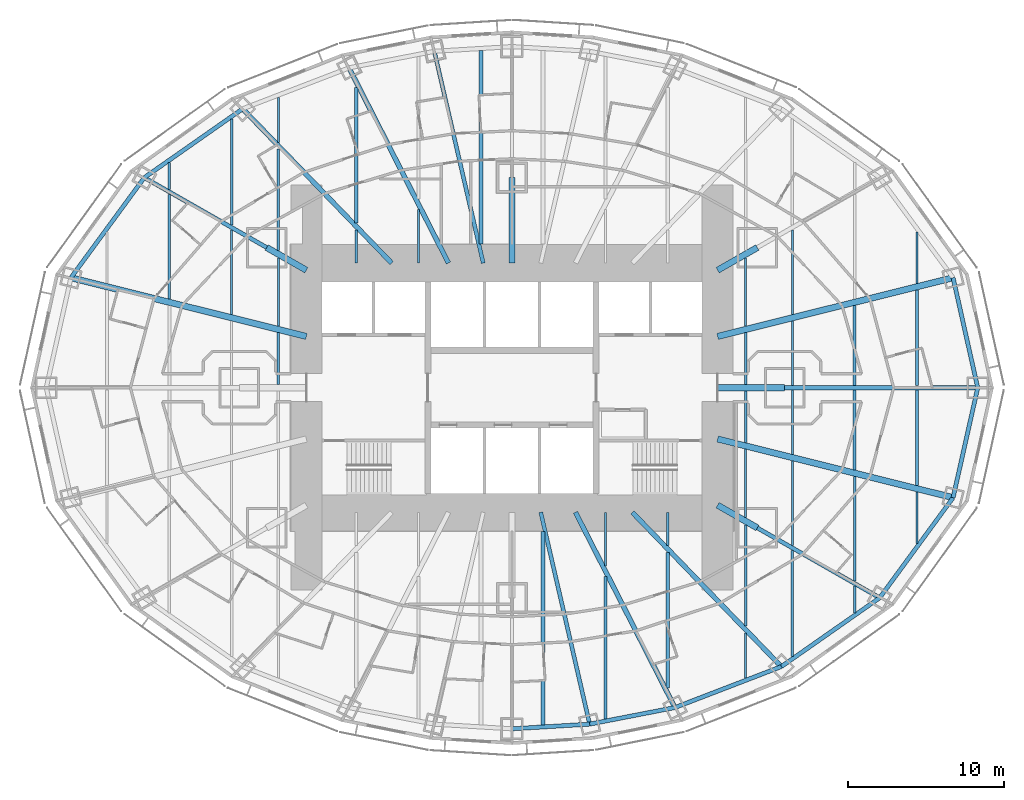
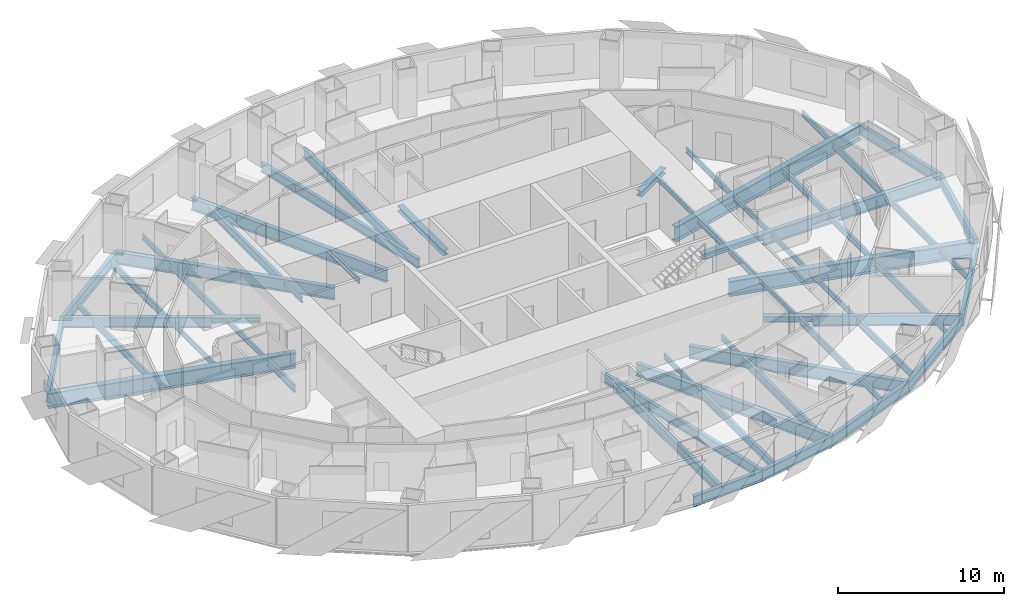
# One storey, part 2 of 15: 62 beams.
"""IFC4 building model written with IfcOpenShell, lengths in metres."""

from ifc_helpers import new_model, si_unit, direction, frame, origin, origin_2d, place, context, subcontext, project, spatial, i_section, extrude, material, material_profile, profile_set, type_object, element, save


model = new_model("IFC4")

# Units and contexts
model_context = context("Model", 3, precision=1e-05, world=origin(), true_north=direction((0.0, 1.0)))
body_context = subcontext(model_context, "Body", "Model", "MODEL_VIEW")
ifc_project = project(units=[si_unit("LENGTHUNIT", "METRE"), si_unit("AREAUNIT", "SQUARE_METRE"), si_unit("VOLUMEUNIT", "CUBIC_METRE"), si_unit("PLANEANGLEUNIT", "RADIAN"), si_unit("MASSUNIT", "GRAM", prefix="KILO")], contexts=[model_context])

# Site, building, storey
site_placement = place(None, origin())
site = spatial("IfcSite", under=ifc_project, at=site_placement, CompositionType="ELEMENT")
building_placement = place(site_placement, origin())
building = spatial("IfcBuilding", under=site, at=building_placement, Name="Lantaw Convention Tower", CompositionType="ELEMENT")
storey_placement = place(building_placement, frame((0.0, 0.0, 58.60009765625)))
storey = spatial("IfcBuildingStorey", under=building, at=storey_placement, Name="L12", CompositionType="ELEMENT", Elevation=58.60009765625)

# Beams
ifc_material = material(Name="Steel ASTM A992", Category="steel")
ifc_material_profile_1 = material_profile(ifc_material, i_section(OverallWidth=0.2666015625, OverallDepth=0.76953125, WebThickness=0.015625, FlangeThickness=0.025390625, FilletRadius=0.0126953125, at=origin_2d()), Name="W30X132")
ifc_profile_set_1 = profile_set([ifc_material_profile_1], Name="Steel ASTM A992")
beam_type_1 = type_object("IfcBeamType", Name="Beam E W30X132", PredefinedType="SPANDREL", material=ifc_profile_set_1)
beam_1_placement = place(storey_placement, frame((29.89990234375, 0.0, -0.534912109375), z_axis=(-0.218652184873, 0.975802860239, 0.0), x_axis=(-0.975802860239, -0.218652184873, 0.0)))
element("IfcBeam", 1, at=beam_1_placement, inside=storey, type_object=beam_type_1, Name="Edge beam 1", PredefinedType="SPANDREL", context=body_context, shape_type="SweptSolid", body=[
    extrude(i_section(OverallWidth=0.2666015625, OverallDepth=0.76953125, WebThickness=0.015625, FlangeThickness=0.025390625, FilletRadius=0.0126953125, at=origin_2d()), origin(), (0.0, 0.0, 1.0), 7.2353515625),
])
beam_2_placement = place(storey_placement, frame((-17.290771484375, 17.9052734375, -0.534912109375), z_axis=(-0.81942686407, -0.57318375277, 0.0), x_axis=(0.57318375277, -0.81942686407, 0.0)))
element("IfcBeam", 2, at=beam_2_placement, inside=storey, type_object=beam_type_1, Name="Edge beam 10", PredefinedType="SPANDREL", context=body_context, shape_type="SweptSolid", body=[
    extrude(i_section(OverallWidth=0.2666015625, OverallDepth=0.76953125, WebThickness=0.015625, FlangeThickness=0.025390625, FilletRadius=0.0126953125, at=origin_2d()), origin(), (0.0, 0.0, 1.0), 7.70556640625),
])
beam_3_placement = place(storey_placement, frame((-23.60498046875, 13.488525390625, -0.534912109375), z_axis=(-0.591270709086, -0.806473154281, 0.0), x_axis=(0.806473154281, -0.591270709086, 0.0)))
element("IfcBeam", 3, at=beam_3_placement, inside=storey, type_object=beam_type_1, Name="Edge beam 11", PredefinedType="SPANDREL", context=body_context, shape_type="SweptSolid", body=[
    extrude(i_section(OverallWidth=0.2666015625, OverallDepth=0.76953125, WebThickness=0.015625, FlangeThickness=0.025390625, FilletRadius=0.0126953125, at=origin_2d()), origin(), (0.0, 0.0, 1.0), 7.970703125),
])
beam_4_placement = place(storey_placement, frame((0.0, -21.89990234375, -0.534912109375), z_axis=(0.998173858406, 0.060406526096, 0.0), x_axis=(-0.060406526096, 0.998173858406, 0.0)))
element("IfcBeam", 4, at=beam_4_placement, inside=storey, type_object=beam_type_1, Name="Edge beam 19", PredefinedType="SPANDREL", context=body_context, shape_type="SweptSolid", body=[
    extrude(i_section(OverallWidth=0.2666015625, OverallDepth=0.76953125, WebThickness=0.015625, FlangeThickness=0.025390625, FilletRadius=0.0126953125, at=origin_2d()), origin(), (0.0, 0.0, 1.0), 4.995361328125),
])
beam_5_placement = place(storey_placement, frame((4.986328125, -21.59814453125, -0.534912109375), z_axis=(0.981636565323, 0.190760723474, 0.0), x_axis=(-0.190760723474, 0.981636565323, 0.0)))
element("IfcBeam", 5, at=beam_5_placement, inside=storey, type_object=beam_type_1, Name="Edge beam 20", PredefinedType="SPANDREL", context=body_context, shape_type="SweptSolid", body=[
    extrude(i_section(OverallWidth=0.2666015625, OverallDepth=0.76953125, WebThickness=0.015625, FlangeThickness=0.025390625, FilletRadius=0.0126953125, at=origin_2d()), origin(), (0.0, 0.0, 1.0), 5.578857421875),
])
beam_6_placement = place(storey_placement, frame((10.462646484375, -20.533935546875, -0.534912109375), z_axis=(0.933232900641, 0.359271976588, 0.0), x_axis=(-0.359271976588, 0.933232900641, 0.0)))
element("IfcBeam", 6, at=beam_6_placement, inside=storey, type_object=beam_type_1, Name="Edge beam 21", PredefinedType="SPANDREL", context=body_context, shape_type="SweptSolid", body=[
    extrude(i_section(OverallWidth=0.2666015625, OverallDepth=0.76953125, WebThickness=0.015625, FlangeThickness=0.025390625, FilletRadius=0.0126953125, at=origin_2d()), origin(), (0.0, 0.0, 1.0), 7.316650390625),
])
beam_7_placement = place(storey_placement, frame((17.290771484375, -17.9052734375, -0.534912109375), z_axis=(0.81942686407, 0.57318375277, 0.0), x_axis=(-0.57318375277, 0.81942686407, 0.0)))
element("IfcBeam", 7, at=beam_7_placement, inside=storey, type_object=beam_type_1, Name="Edge beam 22", PredefinedType="SPANDREL", context=body_context, shape_type="SweptSolid", body=[
    extrude(i_section(OverallWidth=0.2666015625, OverallDepth=0.76953125, WebThickness=0.015625, FlangeThickness=0.025390625, FilletRadius=0.0126953125, at=origin_2d()), origin(), (0.0, 0.0, 1.0), 7.70556640625),
])
beam_8_placement = place(storey_placement, frame((23.60498046875, -13.488525390625, -0.534912109375), z_axis=(0.591270709086, 0.806473154281, 0.0), x_axis=(-0.806473154281, 0.591270709086, 0.0)))
element("IfcBeam", 8, at=beam_8_placement, inside=storey, type_object=beam_type_1, Name="Edge beam 23", PredefinedType="SPANDREL", context=body_context, shape_type="SweptSolid", body=[
    extrude(i_section(OverallWidth=0.2666015625, OverallDepth=0.76953125, WebThickness=0.015625, FlangeThickness=0.025390625, FilletRadius=0.0126953125, at=origin_2d()), origin(), (0.0, 0.0, 1.0), 7.970703125),
])
beam_9_placement = place(storey_placement, frame((28.31787109375, -7.060302734375, -0.534912109375), z_axis=(0.218652184873, 0.975802860239, 0.0), x_axis=(-0.975802860239, 0.218652184873, 0.0)))
element("IfcBeam", 9, at=beam_9_placement, inside=storey, type_object=beam_type_1, Name="Edge beam 24", PredefinedType="SPANDREL", context=body_context, shape_type="SweptSolid", body=[
    extrude(i_section(OverallWidth=0.2666015625, OverallDepth=0.76953125, WebThickness=0.015625, FlangeThickness=0.025390625, FilletRadius=0.0126953125, at=origin_2d()), origin(), (0.0, 0.0, 1.0), 7.2353515625),
])
ifc_material_profile_2 = material_profile(ifc_material, i_section(OverallWidth=0.25390625, OverallDepth=0.683349609375, WebThickness=0.012451171875, FlangeThickness=0.01904296875, FilletRadius=0.01513671875, at=origin_2d()), Name="W27X94")
ifc_profile_set_2 = profile_set([ifc_material_profile_2], Name="Steel ASTM A992")
beam_type_2 = type_object("IfcBeamType", Name="Beam G W27X94", PredefinedType="BEAM", material=ifc_profile_set_2)
for number, where, z_axis, x_axis, name in (
    (10, (-1.846923828125, 8.0, -0.49169921875), (-0.224952773175, 0.97436966796, 0.0), (-0.97436966796, -0.224952773175, 0.0), "Floor girder on ray 8"),
    (11, (1.846923828125, -8.0, -0.49169921875), (0.224952773175, -0.97436966796, 0.0), (0.97436966796, 0.224952773175, 0.0), "Floor girder on ray 20"),
):
    element("IfcBeam", number, at=place(storey_placement, frame(where, z_axis=z_axis, x_axis=x_axis)), inside=storey, type_object=beam_type_2, Name=name, PredefinedType="BEAM", context=body_context, shape_type="SweptSolid", body=[
        extrude(i_section(OverallWidth=0.25390625, OverallDepth=0.683349609375, WebThickness=0.012451171875, FlangeThickness=0.01904296875, FilletRadius=0.01513671875, at=origin_2d()), origin(), (0.0, 0.0, 1.0), 13.955810546875),
    ])
ifc_material_profile_3 = material_profile(ifc_material, i_section(OverallWidth=0.2666015625, OverallDepth=0.7568359375, WebThickness=0.013916015625, FlangeThickness=0.019287109375, FilletRadius=0.0126953125, at=origin_2d()), Name="W30X108")
ifc_profile_set_3 = profile_set([ifc_material_profile_3], Name="Steel ASTM A992")
beam_type_3 = type_object("IfcBeamType", Name="Beam G W30X108", PredefinedType="BEAM", material=ifc_profile_set_3)
for number, where, z_axis, x_axis, name in (
    (12, (-15.75, 9.0, -0.528564453125), (-0.868244802791, 0.496136032179, 0.0), (-0.496136032179, -0.868244802791, 0.0), "Floor girder on ray 11"),
    (13, (15.75, -9.0, -0.528564453125), (0.868244802791, -0.496136032179, 0.0), (0.496136032179, 0.868244802791, 0.0), "Floor girder on ray 23"),
):
    element("IfcBeam", number, at=place(storey_placement, frame(where, z_axis=z_axis, x_axis=x_axis)), inside=storey, type_object=beam_type_3, Name=name, PredefinedType="BEAM", context=body_context, shape_type="SweptSolid", body=[
        extrude(i_section(OverallWidth=0.2666015625, OverallDepth=0.7568359375, WebThickness=0.013916015625, FlangeThickness=0.019287109375, FilletRadius=0.0126953125, at=origin_2d()), origin(), (0.0, 0.0, 1.0), 9.046875),
    ])
ifc_material_profile_4 = material_profile(ifc_material, i_section(OverallWidth=0.307373046875, OverallDepth=0.922119140625, WebThickness=0.018310546875, FlangeThickness=0.030029296875, FilletRadius=0.0126953125, at=origin_2d()), Name="W36X182")
ifc_profile_set_4 = profile_set([ifc_material_profile_4], Name="Steel ASTM A992")
beam_type_4 = type_object("IfcBeamType", Name="Beam G W36X182", PredefinedType="BEAM", material=ifc_profile_set_4)
beam_10_placement = place(storey_placement, frame((17.5, 0.0, -0.611083984375), z_axis=(1.0, 0.0, 0.0), x_axis=(0.0, 1.0, 0.0)))
element("IfcBeam", 14, at=beam_10_placement, inside=storey, type_object=beam_type_4, Name="Floor girder on ray 1", PredefinedType="BEAM", context=body_context, shape_type="SweptSolid", body=[
    extrude(i_section(OverallWidth=0.307373046875, OverallDepth=0.922119140625, WebThickness=0.018310546875, FlangeThickness=0.030029296875, FilletRadius=0.0126953125, at=origin_2d()), origin(), (0.0, 0.0, 1.0), 12.39990234375),
])
beam_11_placement = place(storey_placement, frame((-4.076171875, 8.0, -0.611083984375), z_axis=(-0.453997016122, 0.891003203896, 0.0), x_axis=(-0.891003203896, -0.453997016122, 0.0)))
element("IfcBeam", 15, at=beam_11_placement, inside=storey, type_object=beam_type_4, Name="Floor girder on ray 9", PredefinedType="BEAM", context=body_context, shape_type="SweptSolid", body=[
    extrude(i_section(OverallWidth=0.307373046875, OverallDepth=0.922119140625, WebThickness=0.018310546875, FlangeThickness=0.030029296875, FilletRadius=0.0126953125, at=origin_2d()), origin(), (0.0, 0.0, 1.0), 14.067138671875),
])
beam_12_placement = place(storey_placement, frame((-7.7255859375, 8.0, -0.611083984375), z_axis=(-0.694649884291, 0.719347995239, 0.0), x_axis=(-0.719347995239, -0.694649884291, 0.0)))
element("IfcBeam", 16, at=beam_12_placement, inside=storey, type_object=beam_type_4, Name="Floor girder on ray 10", PredefinedType="BEAM", context=body_context, shape_type="SweptSolid", body=[
    extrude(i_section(OverallWidth=0.307373046875, OverallDepth=0.922119140625, WebThickness=0.018310546875, FlangeThickness=0.030029296875, FilletRadius=0.0126953125, at=origin_2d()), origin(), (0.0, 0.0, 1.0), 13.769775390625),
])
beam_13_placement = place(storey_placement, frame((4.076171875, -8.0, -0.611083984375), z_axis=(0.453997016122, -0.891003203896, 0.0), x_axis=(0.891003203896, 0.453997016122, 0.0)))
element("IfcBeam", 17, at=beam_13_placement, inside=storey, type_object=beam_type_4, Name="Floor girder on ray 21", PredefinedType="BEAM", context=body_context, shape_type="SweptSolid", body=[
    extrude(i_section(OverallWidth=0.307373046875, OverallDepth=0.922119140625, WebThickness=0.018310546875, FlangeThickness=0.030029296875, FilletRadius=0.0126953125, at=origin_2d()), origin(), (0.0, 0.0, 1.0), 14.067138671875),
])
beam_14_placement = place(storey_placement, frame((7.7255859375, -8.0, -0.611083984375), z_axis=(0.694649884291, -0.719347995239, 0.0), x_axis=(0.719347995239, 0.694649884291, 0.0)))
element("IfcBeam", 18, at=beam_14_placement, inside=storey, type_object=beam_type_4, Name="Floor girder on ray 22", PredefinedType="BEAM", context=body_context, shape_type="SweptSolid", body=[
    extrude(i_section(OverallWidth=0.307373046875, OverallDepth=0.922119140625, WebThickness=0.018310546875, FlangeThickness=0.030029296875, FilletRadius=0.0126953125, at=origin_2d()), origin(), (0.0, 0.0, 1.0), 13.769775390625),
])
ifc_material_profile_5 = material_profile(ifc_material, i_section(OverallWidth=0.40380859375, OverallDepth=1.11767578125, WebThickness=0.026123046875, FlangeThickness=0.044921875, FilletRadius=0.02001953125, at=origin_2d()), Name="W44X335")
ifc_profile_set_5 = profile_set([ifc_material_profile_5], Name="Steel ASTM A992")
beam_type_5 = type_object("IfcBeamType", Name="Beam G W44X335", PredefinedType="BEAM", material=ifc_profile_set_5)
for number, where, z_axis, x_axis, name in (
    (19, (13.199951171875, 3.291015625, -0.708984375), (0.970296233567, 0.241919860957, 0.0), (-0.241919860957, 0.970296233567, 0.0), "Floor girder on ray 2"),
    (20, (-13.199951171875, 3.291015625, -0.708984375), (-0.970296233567, 0.241919860957, 0.0), (-0.241919860957, -0.970296233567, 0.0), "Floor girder on ray 12"),
    (21, (13.199951171875, -3.291015625, -0.708984375), (0.970296233567, -0.241919860957, 0.0), (0.241919860957, 0.970296233567, 0.0), "Floor girder on ray 24"),
):
    element("IfcBeam", number, at=place(storey_placement, frame(where, z_axis=z_axis, x_axis=x_axis)), inside=storey, type_object=beam_type_5, Name=name, PredefinedType="BEAM", context=body_context, shape_type="SweptSolid", body=[
        extrude(i_section(OverallWidth=0.40380859375, OverallDepth=1.11767578125, WebThickness=0.026123046875, FlangeThickness=0.044921875, FilletRadius=0.02001953125, at=origin_2d()), origin(), (0.0, 0.0, 1.0), 15.580810546875),
    ])
ifc_material_profile_6 = material_profile(ifc_material, i_section(OverallWidth=0.40380859375, OverallDepth=0.406494140625, WebThickness=0.027099609375, FlangeThickness=0.043701171875, FilletRadius=0.01513671875, at=origin_2d()), Name="W14X233")
ifc_profile_set_6 = profile_set([ifc_material_profile_6], Name="Steel ASTM A992")
beam_type_6 = type_object("IfcBeamType", Name="Beam GM W14X233", PredefinedType="BEAM", material=ifc_profile_set_6)
beam_15_placement = place(storey_placement, frame((13.199951171875, 0.0, -0.353271484375), z_axis=(1.0, 0.0, 0.0), x_axis=(0.0, 1.0, 0.0)))
element("IfcBeam", 22, at=beam_15_placement, inside=storey, type_object=beam_type_6, Name="Core link beam on ray 1", PredefinedType="BEAM", context=body_context, shape_type="SweptSolid", body=[
    extrude(i_section(OverallWidth=0.40380859375, OverallDepth=0.406494140625, WebThickness=0.027099609375, FlangeThickness=0.043701171875, FilletRadius=0.01513671875, at=origin_2d()), origin(), (0.0, 0.0, 1.0), 4.300048828125),
])
beam_16_placement = place(storey_placement, frame((13.199951171875, 7.54296875, -0.353271484375), z_axis=(0.868263603466, 0.496103129295, 0.0), x_axis=(-0.496103129295, 0.868263603466, 0.0)))
element("IfcBeam", 23, at=beam_16_placement, inside=storey, type_object=beam_type_6, Name="Core link beam on ray 3", PredefinedType="BEAM", context=body_context, shape_type="SweptSolid", body=[
    extrude(i_section(OverallWidth=0.40380859375, OverallDepth=0.406494140625, WebThickness=0.027099609375, FlangeThickness=0.043701171875, FilletRadius=0.01513671875, at=origin_2d()), origin(), (0.0, 0.0, 1.0), 2.93701171875),
])
beam_17_placement = place(storey_placement, frame((0.0, 8.0, -0.353271484375), z_axis=(0.0, 1.0, 0.0), x_axis=(-1.0, 0.0, 0.0)))
element("IfcBeam", 24, at=beam_17_placement, inside=storey, type_object=beam_type_6, Name="Core link beam on ray 7", PredefinedType="BEAM", context=body_context, shape_type="SweptSolid", body=[
    extrude(i_section(OverallWidth=0.40380859375, OverallDepth=0.406494140625, WebThickness=0.027099609375, FlangeThickness=0.043701171875, FilletRadius=0.01513671875, at=origin_2d()), origin(), (0.0, 0.0, 1.0), 5.5),
])
for number, where, z_axis, x_axis, name in (
    (25, (-13.199951171875, 7.54296875, -0.353271484375), (-0.868263603466, 0.496103129295, 0.0), (-0.496103129295, -0.868263603466, 0.0), "Core link beam on ray 11"),
    (26, (13.199951171875, -7.54296875, -0.353271484375), (0.868263603466, -0.496103129295, 0.0), (0.496103129295, 0.868263603466, 0.0), "Core link beam on ray 23"),
):
    element("IfcBeam", number, at=place(storey_placement, frame(where, z_axis=z_axis, x_axis=x_axis)), inside=storey, type_object=beam_type_6, Name=name, PredefinedType="BEAM", context=body_context, shape_type="SweptSolid", body=[
        extrude(i_section(OverallWidth=0.40380859375, OverallDepth=0.406494140625, WebThickness=0.027099609375, FlangeThickness=0.043701171875, FilletRadius=0.01513671875, at=origin_2d()), origin(), (0.0, 0.0, 1.0), 2.93701171875),
    ])
ifc_material_profile_7 = material_profile(ifc_material, i_section(OverallWidth=0.140380859375, OverallDepth=0.40380859375, WebThickness=0.007080078125, FlangeThickness=0.01123046875, FilletRadius=0.01025390625, at=origin_2d()), Name="W16X31")
ifc_profile_set_7 = profile_set([ifc_material_profile_7], Name="Steel ASTM A992")
beam_type_7 = type_object("IfcBeamType", Name="Beam J W16X31", PredefinedType="JOIST", material=ifc_profile_set_7)
beam_18_placement = place(storey_placement, frame((-22.0, 12.72509765625, -0.35205078125), z_axis=(0.0, 1.0, 0.0), x_axis=(-1.0, 0.0, 0.0)))
element("IfcBeam", 27, at=beam_18_placement, inside=storey, type_object=beam_type_7, Name="Floor joist", PredefinedType="JOIST", context=body_context, shape_type="SweptSolid", body=[
    extrude(i_section(OverallWidth=0.140380859375, OverallDepth=0.40380859375, WebThickness=0.007080078125, FlangeThickness=0.01123046875, FilletRadius=0.01025390625, at=origin_2d()), origin(), (0.0, 0.0, 1.0), 1.723388671875),
])
beam_19_placement = place(storey_placement, frame((-18.0, 4.696044921875, -0.35205078125), z_axis=(0.0, 1.0, 0.0), x_axis=(-1.0, 0.0, 0.0)))
element("IfcBeam", 28, at=beam_19_placement, inside=storey, type_object=beam_type_7, Name="Floor joist", PredefinedType="JOIST", context=body_context, shape_type="SweptSolid", body=[
    extrude(i_section(OverallWidth=0.140380859375, OverallDepth=0.40380859375, WebThickness=0.007080078125, FlangeThickness=0.01123046875, FilletRadius=0.01025390625, at=origin_2d()), origin(), (0.0, 0.0, 1.0), 5.43603515625),
])
beam_20_placement = place(storey_placement, frame((-15.0, 3.947998046875, -0.35205078125), z_axis=(0.0, 1.0, 0.0), x_axis=(-1.0, 0.0, 0.0)))
element("IfcBeam", 29, at=beam_20_placement, inside=storey, type_object=beam_type_7, Name="Floor joist", PredefinedType="JOIST", context=body_context, shape_type="SweptSolid", body=[
    extrude(i_section(OverallWidth=0.140380859375, OverallDepth=0.40380859375, WebThickness=0.007080078125, FlangeThickness=0.01123046875, FilletRadius=0.01025390625, at=origin_2d()), origin(), (0.0, 0.0, 1.0), 4.390869140625),
])
beam_21_placement = place(storey_placement, frame((-15.0, 15.754150390625, -0.35205078125), z_axis=(0.0, 1.0, 0.0), x_axis=(-1.0, 0.0, 0.0)))
element("IfcBeam", 30, at=beam_21_placement, inside=storey, type_object=beam_type_7, Name="Floor joist", PredefinedType="JOIST", context=body_context, shape_type="SweptSolid", body=[
    extrude(i_section(OverallWidth=0.140380859375, OverallDepth=0.40380859375, WebThickness=0.007080078125, FlangeThickness=0.01123046875, FilletRadius=0.01025390625, at=origin_2d()), origin(), (0.0, 0.0, 1.0), 2.89013671875),
])
beam_22_placement = place(storey_placement, frame((-10.0, 8.0, -0.35205078125), z_axis=(0.0, 1.0, 0.0), x_axis=(-1.0, 0.0, 0.0)))
element("IfcBeam", 31, at=beam_22_placement, inside=storey, type_object=beam_type_7, Name="Floor joist", PredefinedType="JOIST", context=body_context, shape_type="SweptSolid", body=[
    extrude(i_section(OverallWidth=0.140380859375, OverallDepth=0.40380859375, WebThickness=0.007080078125, FlangeThickness=0.01123046875, FilletRadius=0.01025390625, at=origin_2d()), origin(), (0.0, 0.0, 1.0), 2.134033203125),
])
for number, where, z_axis, x_axis, name in (
    (32, (-6.0, 8.0, -0.35205078125), (0.0, 1.0, 0.0), (-1.0, 0.0, 0.0), "Floor joist"),
    (33, (6.0, -11.437255859375, -0.35205078125), (0.0, 1.0, 0.0), (-1.0, 0.0, 0.0), "Floor joist"),
):
    element("IfcBeam", number, at=place(storey_placement, frame(where, z_axis=z_axis, x_axis=x_axis)), inside=storey, type_object=beam_type_7, Name=name, PredefinedType="JOIST", context=body_context, shape_type="SweptSolid", body=[
        extrude(i_section(OverallWidth=0.140380859375, OverallDepth=0.40380859375, WebThickness=0.007080078125, FlangeThickness=0.01123046875, FilletRadius=0.01025390625, at=origin_2d()), origin(), (0.0, 0.0, 1.0), 3.437255859375),
    ])
beam_23_placement = place(storey_placement, frame((10.0, -10.134033203125, -0.35205078125), z_axis=(0.0, 1.0, 0.0), x_axis=(-1.0, 0.0, 0.0)))
element("IfcBeam", 34, at=beam_23_placement, inside=storey, type_object=beam_type_7, Name="Floor joist", PredefinedType="JOIST", context=body_context, shape_type="SweptSolid", body=[
    extrude(i_section(OverallWidth=0.140380859375, OverallDepth=0.40380859375, WebThickness=0.007080078125, FlangeThickness=0.01123046875, FilletRadius=0.01025390625, at=origin_2d()), origin(), (0.0, 0.0, 1.0), 2.134033203125),
])
beam_24_placement = place(storey_placement, frame((15.0, -18.644287109375, -0.35205078125), z_axis=(0.0, 1.0, 0.0), x_axis=(-1.0, 0.0, 0.0)))
element("IfcBeam", 35, at=beam_24_placement, inside=storey, type_object=beam_type_7, Name="Floor joist", PredefinedType="JOIST", context=body_context, shape_type="SweptSolid", body=[
    extrude(i_section(OverallWidth=0.140380859375, OverallDepth=0.40380859375, WebThickness=0.007080078125, FlangeThickness=0.01123046875, FilletRadius=0.01025390625, at=origin_2d()), origin(), (0.0, 0.0, 1.0), 2.89013671875),
])
for number, where, z_axis, x_axis, name in (
    (36, (15.0, -8.3388671875, -0.35205078125), (0.0, 1.0, 0.0), (-1.0, 0.0, 0.0), "Floor joist"),
    (37, (15.0, 3.947998046875, -0.35205078125), (0.0, 1.0, 0.0), (-1.0, 0.0, 0.0), "Floor joist"),
):
    element("IfcBeam", number, at=place(storey_placement, frame(where, z_axis=z_axis, x_axis=x_axis)), inside=storey, type_object=beam_type_7, Name=name, PredefinedType="JOIST", context=body_context, shape_type="SweptSolid", body=[
        extrude(i_section(OverallWidth=0.140380859375, OverallDepth=0.40380859375, WebThickness=0.007080078125, FlangeThickness=0.01123046875, FilletRadius=0.01025390625, at=origin_2d()), origin(), (0.0, 0.0, 1.0), 4.390869140625),
    ])
beam_25_placement = place(storey_placement, frame((18.0, -10.132080078125, -0.35205078125), z_axis=(0.0, 1.0, 0.0), x_axis=(-1.0, 0.0, 0.0)))
element("IfcBeam", 38, at=beam_25_placement, inside=storey, type_object=beam_type_7, Name="Floor joist", PredefinedType="JOIST", context=body_context, shape_type="SweptSolid", body=[
    extrude(i_section(OverallWidth=0.140380859375, OverallDepth=0.40380859375, WebThickness=0.007080078125, FlangeThickness=0.01123046875, FilletRadius=0.01025390625, at=origin_2d()), origin(), (0.0, 0.0, 1.0), 5.43603515625),
])
for number, where, z_axis, x_axis, name in (
    (39, (18.0, -4.27978515625, -0.35205078125), (0.0, 1.0, 0.0), (-1.0, 0.0, 0.0), "Floor joist"),
    (40, (18.0, 0.153564453125, -0.35205078125), (0.0, 1.0, 0.0), (-1.0, 0.0, 0.0), "Floor joist"),
):
    element("IfcBeam", number, at=place(storey_placement, frame(where, z_axis=z_axis, x_axis=x_axis)), inside=storey, type_object=beam_type_7, Name=name, PredefinedType="JOIST", context=body_context, shape_type="SweptSolid", body=[
        extrude(i_section(OverallWidth=0.140380859375, OverallDepth=0.40380859375, WebThickness=0.007080078125, FlangeThickness=0.01123046875, FilletRadius=0.01025390625, at=origin_2d()), origin(), (0.0, 0.0, 1.0), 4.126220703125),
    ])
beam_26_placement = place(storey_placement, frame((18.0, 4.696044921875, -0.35205078125), z_axis=(0.0, 1.0, 0.0), x_axis=(-1.0, 0.0, 0.0)))
element("IfcBeam", 41, at=beam_26_placement, inside=storey, type_object=beam_type_7, Name="Floor joist", PredefinedType="JOIST", context=body_context, shape_type="SweptSolid", body=[
    extrude(i_section(OverallWidth=0.140380859375, OverallDepth=0.40380859375, WebThickness=0.007080078125, FlangeThickness=0.01123046875, FilletRadius=0.01025390625, at=origin_2d()), origin(), (0.0, 0.0, 1.0), 5.43603515625),
])
beam_27_placement = place(storey_placement, frame((22.0, -14.448486328125, -0.35205078125), z_axis=(0.0, 1.0, 0.0), x_axis=(-1.0, 0.0, 0.0)))
element("IfcBeam", 42, at=beam_27_placement, inside=storey, type_object=beam_type_7, Name="Floor joist", PredefinedType="JOIST", context=body_context, shape_type="SweptSolid", body=[
    extrude(i_section(OverallWidth=0.140380859375, OverallDepth=0.40380859375, WebThickness=0.007080078125, FlangeThickness=0.01123046875, FilletRadius=0.01025390625, at=origin_2d()), origin(), (0.0, 0.0, 1.0), 1.723388671875),
])
for number, where, z_axis, x_axis, name in (
    (43, (26.0, -9.996337890625, -0.35205078125), (0.0, 1.0, 0.0), (-1.0, 0.0, 0.0), "Floor joist"),
    (44, (26.0, 6.690673828125, -0.35205078125), (0.0, 1.0, 0.0), (-1.0, 0.0, 0.0), "Floor joist"),
):
    element("IfcBeam", number, at=place(storey_placement, frame(where, z_axis=z_axis, x_axis=x_axis)), inside=storey, type_object=beam_type_7, Name=name, PredefinedType="JOIST", context=body_context, shape_type="SweptSolid", body=[
        extrude(i_section(OverallWidth=0.140380859375, OverallDepth=0.40380859375, WebThickness=0.007080078125, FlangeThickness=0.01123046875, FilletRadius=0.01025390625, at=origin_2d()), origin(), (0.0, 0.0, 1.0), 3.3056640625),
    ])
ifc_material_profile_8 = material_profile(ifc_material, i_section(OverallWidth=0.1904296875, OverallDepth=0.457275390625, WebThickness=0.009033203125, FlangeThickness=0.014404296875, FilletRadius=0.01025390625, at=origin_2d()), Name="W18X50")
ifc_profile_set_8 = profile_set([ifc_material_profile_8], Name="Steel ASTM A992")
beam_type_8 = type_object("IfcBeamType", Name="Beam J W18X50", PredefinedType="JOIST", material=ifc_profile_set_8)
for number, where, z_axis, x_axis, name in (
    (45, (22.0, -5.277099609375, -0.378662109375), (0.0, 1.0, 0.0), (-1.0, 0.0, 0.0), "Floor joist"),
    (46, (22.0, 0.153564453125, -0.378662109375), (0.0, 1.0, 0.0), (-1.0, 0.0, 0.0), "Floor joist"),
):
    element("IfcBeam", number, at=place(storey_placement, frame(where, z_axis=z_axis, x_axis=x_axis)), inside=storey, type_object=beam_type_8, Name=name, PredefinedType="JOIST", context=body_context, shape_type="SweptSolid", body=[
        extrude(i_section(OverallWidth=0.1904296875, OverallDepth=0.457275390625, WebThickness=0.009033203125, FlangeThickness=0.014404296875, FilletRadius=0.01025390625, at=origin_2d()), origin(), (0.0, 0.0, 1.0), 5.12353515625),
    ])
ifc_material_profile_9 = material_profile(ifc_material, i_section(OverallWidth=0.1650390625, OverallDepth=0.52587890625, WebThickness=0.0087890625, FlangeThickness=0.011474609375, FilletRadius=0.0126953125, at=origin_2d()), Name="W21X44")
ifc_profile_set_9 = profile_set([ifc_material_profile_9], Name="Steel ASTM A992")
beam_type_9 = type_object("IfcBeamType", Name="Beam J W21X44", PredefinedType="JOIST", material=ifc_profile_set_9)
beam_28_placement = place(storey_placement, frame((-22.0, 5.693359375, -0.4130859375), z_axis=(0.0, 1.0, 0.0), x_axis=(-1.0, 0.0, 0.0)))
element("IfcBeam", 47, at=beam_28_placement, inside=storey, type_object=beam_type_9, Name="Floor joist", PredefinedType="JOIST", context=body_context, shape_type="SweptSolid", body=[
    extrude(i_section(OverallWidth=0.1650390625, OverallDepth=0.52587890625, WebThickness=0.0087890625, FlangeThickness=0.011474609375, FilletRadius=0.0126953125, at=origin_2d()), origin(), (0.0, 0.0, 1.0), 6.724609375),
])
beam_29_placement = place(storey_placement, frame((-18.0, 10.439208984375, -0.4130859375), z_axis=(0.0, 1.0, 0.0), x_axis=(-1.0, 0.0, 0.0)))
element("IfcBeam", 48, at=beam_29_placement, inside=storey, type_object=beam_type_9, Name="Floor joist", PredefinedType="JOIST", context=body_context, shape_type="SweptSolid", body=[
    extrude(i_section(OverallWidth=0.1650390625, OverallDepth=0.52587890625, WebThickness=0.0087890625, FlangeThickness=0.011474609375, FilletRadius=0.0126953125, at=origin_2d()), origin(), (0.0, 0.0, 1.0), 6.80712890625),
])
for number, where, z_axis, x_axis, name in (
    (49, (-15.0, 8.803955078125, -0.4130859375), (0.0, 1.0, 0.0), (-1.0, 0.0, 0.0), "Floor joist"),
    (50, (15.0, -15.311767578125, -0.4130859375), (0.0, 1.0, 0.0), (-1.0, 0.0, 0.0), "Floor joist"),
):
    element("IfcBeam", number, at=place(storey_placement, frame(where, z_axis=z_axis, x_axis=x_axis)), inside=storey, type_object=beam_type_9, Name=name, PredefinedType="JOIST", context=body_context, shape_type="SweptSolid", body=[
        extrude(i_section(OverallWidth=0.1650390625, OverallDepth=0.52587890625, WebThickness=0.0087890625, FlangeThickness=0.011474609375, FilletRadius=0.0126953125, at=origin_2d()), origin(), (0.0, 0.0, 1.0), 6.5078125),
    ])
beam_30_placement = place(storey_placement, frame((18.0, -17.246337890625, -0.4130859375), z_axis=(0.0, 1.0, 0.0), x_axis=(-1.0, 0.0, 0.0)))
element("IfcBeam", 51, at=beam_30_placement, inside=storey, type_object=beam_type_9, Name="Floor joist", PredefinedType="JOIST", context=body_context, shape_type="SweptSolid", body=[
    extrude(i_section(OverallWidth=0.1650390625, OverallDepth=0.52587890625, WebThickness=0.0087890625, FlangeThickness=0.011474609375, FilletRadius=0.0126953125, at=origin_2d()), origin(), (0.0, 0.0, 1.0), 6.80712890625),
])
beam_31_placement = place(storey_placement, frame((22.0, -12.41796875, -0.4130859375), z_axis=(0.0, 1.0, 0.0), x_axis=(-1.0, 0.0, 0.0)))
element("IfcBeam", 52, at=beam_31_placement, inside=storey, type_object=beam_type_9, Name="Floor joist", PredefinedType="JOIST", context=body_context, shape_type="SweptSolid", body=[
    extrude(i_section(OverallWidth=0.1650390625, OverallDepth=0.52587890625, WebThickness=0.0087890625, FlangeThickness=0.011474609375, FilletRadius=0.0126953125, at=origin_2d()), origin(), (0.0, 0.0, 1.0), 6.724609375),
])
ifc_material_profile_10 = material_profile(ifc_material, i_section(OverallWidth=0.165771484375, OverallDepth=0.5283203125, WebThickness=0.009765625, FlangeThickness=0.013671875, FilletRadius=0.012939453125, at=origin_2d()), Name="W21X50")
ifc_profile_set_10 = profile_set([ifc_material_profile_10], Name="Steel ASTM A992")
beam_type_10 = type_object("IfcBeamType", Name="Beam J W21X50", PredefinedType="JOIST", material=ifc_profile_set_10)
for number, where, z_axis, x_axis, name in (
    (53, (-15.0, 0.201904296875, -0.414306640625), (0.0, 1.0, 0.0), (-1.0, 0.0, 0.0), "Floor joist"),
    (54, (15.0, -3.53173828125, -0.414306640625), (0.0, 1.0, 0.0), (-1.0, 0.0, 0.0), "Floor joist"),
    (55, (15.0, 0.201904296875, -0.414306640625), (0.0, 1.0, 0.0), (-1.0, 0.0, 0.0), "Floor joist"),
):
    element("IfcBeam", number, at=place(storey_placement, frame(where, z_axis=z_axis, x_axis=x_axis)), inside=storey, type_object=beam_type_10, Name=name, PredefinedType="JOIST", context=body_context, shape_type="SweptSolid", body=[
        extrude(i_section(OverallWidth=0.165771484375, OverallDepth=0.5283203125, WebThickness=0.009765625, FlangeThickness=0.013671875, FilletRadius=0.012939453125, at=origin_2d()), origin(), (0.0, 0.0, 1.0), 3.329833984375),
    ])
for number, where, z_axis, x_axis, name in (
    (56, (26.0, -6.2744140625, -0.414306640625), (0.0, 1.0, 0.0), (-1.0, 0.0, 0.0), "Floor joist"),
    (57, (26.0, 0.153564453125, -0.414306640625), (0.0, 1.0, 0.0), (-1.0, 0.0, 0.0), "Floor joist"),
):
    element("IfcBeam", number, at=place(storey_placement, frame(where, z_axis=z_axis, x_axis=x_axis)), inside=storey, type_object=beam_type_10, Name=name, PredefinedType="JOIST", context=body_context, shape_type="SweptSolid", body=[
        extrude(i_section(OverallWidth=0.165771484375, OverallDepth=0.5283203125, WebThickness=0.009765625, FlangeThickness=0.013671875, FilletRadius=0.012939453125, at=origin_2d()), origin(), (0.0, 0.0, 1.0), 6.120849609375),
    ])
ifc_material_profile_11 = material_profile(ifc_material, i_section(OverallWidth=0.2099609375, OverallDepth=0.535888671875, WebThickness=0.010986328125, FlangeThickness=0.017333984375, FilletRadius=0.012939453125, at=origin_2d()), Name="W21X68")
ifc_profile_set_11 = profile_set([ifc_material_profile_11], Name="Steel ASTM A992")
beam_type_11 = type_object("IfcBeamType", Name="Beam J W21X68", PredefinedType="JOIST", material=ifc_profile_set_11)
beam_32_placement = place(storey_placement, frame((6.0, -21.26513671875, -0.41796875), z_axis=(0.0, 1.0, 0.0), x_axis=(-1.0, 0.0, 0.0)))
element("IfcBeam", 58, at=beam_32_placement, inside=storey, type_object=beam_type_11, Name="Floor joist", PredefinedType="JOIST", context=body_context, shape_type="SweptSolid", body=[
    extrude(i_section(OverallWidth=0.2099609375, OverallDepth=0.535888671875, WebThickness=0.010986328125, FlangeThickness=0.017333984375, FilletRadius=0.012939453125, at=origin_2d()), origin(), (0.0, 0.0, 1.0), 9.15087890625),
])
ifc_material_profile_12 = material_profile(ifc_material, i_section(OverallWidth=0.227783203125, OverallDepth=0.60205078125, WebThickness=0.010498046875, FlangeThickness=0.014892578125, FilletRadius=0.012939453125, at=origin_2d()), Name="W24X68")
ifc_profile_set_12 = profile_set([ifc_material_profile_12], Name="Steel ASTM A992")
beam_type_12 = type_object("IfcBeamType", Name="Beam J W24X68", PredefinedType="JOIST", material=ifc_profile_set_12)
for number, where, z_axis, x_axis, name in (
    (59, (-10.0, 10.576416015625, -0.451171875), (0.0, 1.0, 0.0), (-1.0, 0.0, 0.0), "Floor joist"),
    (60, (10.0, -19.28759765625, -0.451171875), (0.0, 1.0, 0.0), (-1.0, 0.0, 0.0), "Floor joist"),
):
    element("IfcBeam", number, at=place(storey_placement, frame(where, z_axis=z_axis, x_axis=x_axis)), inside=storey, type_object=beam_type_12, Name=name, PredefinedType="JOIST", context=body_context, shape_type="SweptSolid", body=[
        extrude(i_section(OverallWidth=0.227783203125, OverallDepth=0.60205078125, WebThickness=0.010498046875, FlangeThickness=0.014892578125, FilletRadius=0.012939453125, at=origin_2d()), origin(), (0.0, 0.0, 1.0), 8.711181640625),
    ])
ifc_material_profile_13 = material_profile(ifc_material, i_section(OverallWidth=0.25390625, OverallDepth=0.700927734375, WebThickness=0.015380859375, FlangeThickness=0.02783203125, FilletRadius=0.01513671875, at=origin_2d()), Name="W27X129")
ifc_profile_set_13 = profile_set([ifc_material_profile_13], Name="Steel ASTM A992")
beam_type_13 = type_object("IfcBeamType", Name="Beam J W27X129", PredefinedType="JOIST", material=ifc_profile_set_13)
for number, where, z_axis, x_axis, name in (
    (61, (-2.0, 9.2275390625, -0.500732421875), (0.0, 1.0, 0.0), (-1.0, 0.0, 0.0), "Floor joist"),
    (62, (2.0, -21.645263671875, -0.500732421875), (0.0, 1.0, 0.0), (-1.0, 0.0, 0.0), "Floor joist"),
):
    element("IfcBeam", number, at=place(storey_placement, frame(where, z_axis=z_axis, x_axis=x_axis)), inside=storey, type_object=beam_type_13, Name=name, PredefinedType="JOIST", context=body_context, shape_type="SweptSolid", body=[
        extrude(i_section(OverallWidth=0.25390625, OverallDepth=0.700927734375, WebThickness=0.015380859375, FlangeThickness=0.02783203125, FilletRadius=0.01513671875, at=origin_2d()), origin(), (0.0, 0.0, 1.0), 12.417724609375),
    ])

save(model, "model.ifc")
